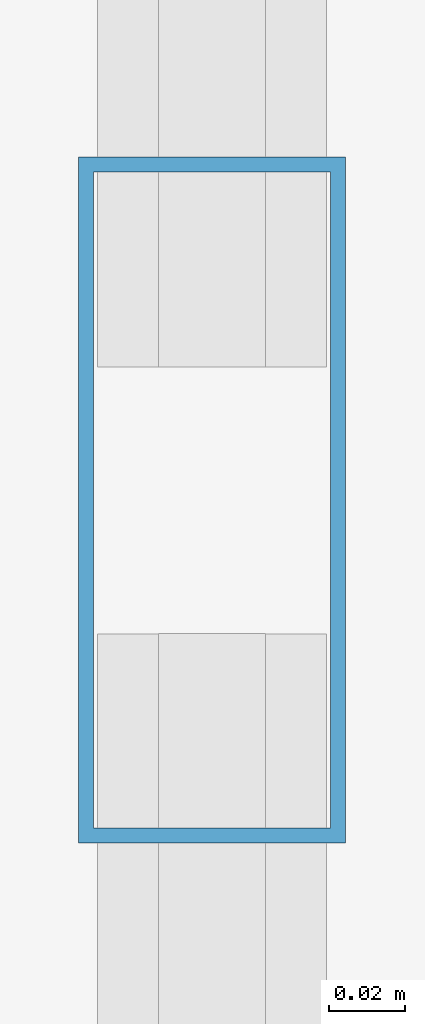
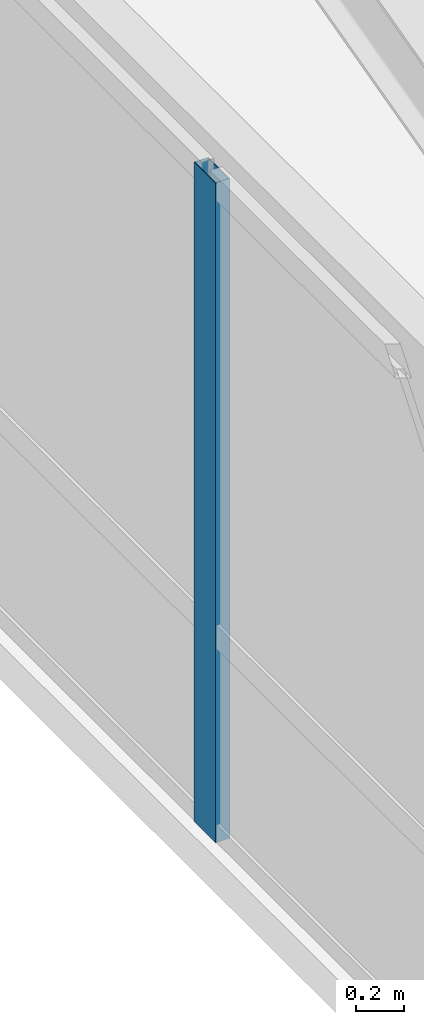
# One storey, part 11 of 19: 1 member, 1 element without a shape of its own.
"""IFC4 building model written with IfcOpenShell, lengths in metres."""

from ifc_helpers import new_model, si_unit, direction, frame, origin, origin_2d, place, context, subcontext, project, spatial, hollow_rectangle, extrude, source, transform, mapped, material, layer, layer_set, material_profile, profile_set, type_object, type_shapes, element, aggregate, save


model = new_model("IFC4")

# Units and contexts
model_context = context("Model", 3, precision=1e-05, world=origin(), true_north=direction((0.0, 1.0)))
body_context = subcontext(model_context, "Body", "Model", "MODEL_VIEW")
ifc_project = project(units=[si_unit("LENGTHUNIT", "METRE"), si_unit("AREAUNIT", "SQUARE_METRE"), si_unit("VOLUMEUNIT", "CUBIC_METRE"), si_unit("PLANEANGLEUNIT", "RADIAN"), si_unit("MASSUNIT", "GRAM", prefix="KILO")], contexts=[model_context])

# Site, building, storey
site_placement = place(None, origin())
site = spatial("IfcSite", under=ifc_project, at=site_placement, CompositionType="ELEMENT")
building_placement = place(site_placement, origin())
building = spatial("IfcBuilding", under=site, at=building_placement, Name="Tolvann Quenvar Hotel", CompositionType="ELEMENT")
storey_placement = place(building_placement, frame((0.0, 0.0, 223.89990234375)))
storey = spatial("IfcBuildingStorey", under=building, at=storey_placement, Name="L59", CompositionType="ELEMENT", Elevation=223.89990234375)

# Curtain wall, member
ifc_material_1 = material(Name="Thermally broken anodised architectural aluminium 6063-T6 and laminated low-E glass", Category="aluminium")
ifc_layer = layer(ifc_material_1, 0.179931640625)
ifc_layer_set = layer_set([ifc_layer], Name="Thermally broken anodised architectural aluminium 6063-T6 and laminated low-E glass")
curtain_wall_type = type_object("IfcCurtainWallType", Name="CW_SYS_BAND_04", PredefinedType="USERDEFINED", material=ifc_layer_set)
curtain_wall_placement = place(storey_placement, origin())
curtain_wall = element("IfcCurtainWall", 1, at=curtain_wall_placement, inside=storey, type_object=curtain_wall_type, Name="Curtain Wall CW-BAND-04 (CWR-L59-E19)", ObjectType="UNITISED CURTAIN WALL", PredefinedType="USERDEFINED")
ifc_material_2 = material(Name="Anodised architectural aluminium 6063-T6 framing", Category="aluminium")
ifc_material_profile = material_profile(ifc_material_2, hollow_rectangle(XDim=0.070068359375, YDim=0.179931640625, WallThickness=0.00390625, at=origin_2d()), Name="180x70x4RHS")
ifc_profile_set = profile_set([ifc_material_profile], Name="Anodised architectural aluminium 6063-T6 framing")
member_type = type_object("IfcMemberType", Name="CW_MULL_180x70", PredefinedType="MULLION", material=ifc_profile_set)
shared_shape = source(origin(), body_context, "Body", "SweptSolid", [
    extrude(hollow_rectangle(XDim=0.070068359375, YDim=0.179931640625, WallThickness=0.00390625, at=origin_2d()), origin(), (0.0, 0.0, 1.0), 3.3701171875),
])
type_shapes(member_type, [shared_shape])
member_placement = place(storey_placement, frame((2.68994140625, 37.26220703125, 0.0), z_axis=(0.0, 0.0, 1.0), x_axis=(1.0, 0.0, 0.0)))
member = element("IfcMember", 2, at=member_placement, type_object=member_type, Name="CW-BAND-04 mullion 2", PredefinedType="MULLION", context=body_context, shape_type="MappedRepresentation", body=[
    mapped(shared_shape, transform((0.0, 0.0, 0.0), x_axis=(1.0, 0.0, 0.0), y_axis=(0.0, 1.0, 0.0), z_axis=(0.0, 0.0, 1.0), scale=1.0)),
])
aggregate(curtain_wall, [member])

save(model, "model.ifc")
